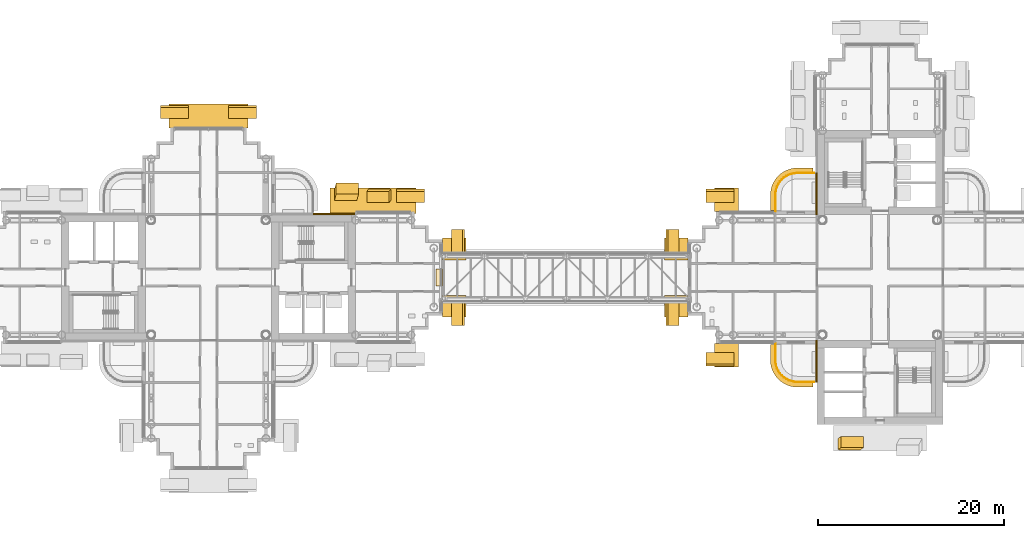
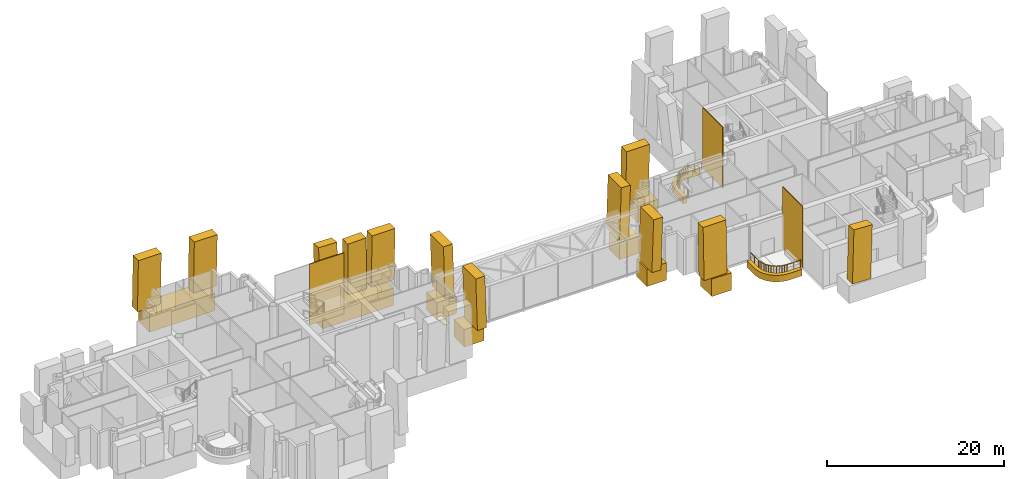
# One storey, part 29 of 34: 26 coverings, 2 railings.
"""IFC4 building model written with IfcOpenShell, lengths in metres."""

from ifc_helpers import new_model, si_unit, direction, frame, origin, origin_2d, place, context, subcontext, project, spatial, polyline, rectangle, circle, outline, extrude, material, layer, layer_set, material_profile, profile_set, type_object, element, save


model = new_model("IFC4")

# Units and contexts
model_context = context("Model", 3, precision=1e-05, world=origin(), true_north=direction((0.0, 1.0)))
body_context = subcontext(model_context, "Body", "Model", "MODEL_VIEW")
ifc_project = project(units=[si_unit("LENGTHUNIT", "METRE"), si_unit("AREAUNIT", "SQUARE_METRE"), si_unit("VOLUMEUNIT", "CUBIC_METRE"), si_unit("PLANEANGLEUNIT", "RADIAN"), si_unit("MASSUNIT", "GRAM", prefix="KILO")], contexts=[model_context])

# Site, building, storey
site_placement = place(None, origin())
site = spatial("IfcSite", under=ifc_project, at=site_placement, CompositionType="ELEMENT")
building_placement = place(site_placement, origin())
building = spatial("IfcBuilding", under=site, at=building_placement, Name="Ipe Terrace Towers", CompositionType="ELEMENT")
storey_placement = place(building_placement, frame((0.0, 0.0, 128.699951171875)))
storey = spatial("IfcBuildingStorey", under=building, at=storey_placement, Name="L35", CompositionType="ELEMENT", Elevation=128.699951171875)

# Railings
ifc_material_1 = material(Name="Stainless steel S316", Category="steel")
railing_type = type_object("IfcRailingType", Name="GUARD 1100", PredefinedType="BALUSTRADE", material=ifc_material_1)
railing_1_placement = place(storey_placement, frame((24.800048828125, -7.070068359375, -0.02001953125)))
element("IfcRailing", 1, at=railing_1_placement, inside=storey, type_object=railing_type, Name="guard", PredefinedType="BALUSTRADE", context=body_context, shape_type="SweptSolid", body=[
    extrude(circle(Radius=0.02392578125, at=origin_2d()), frame((0.0, 0.0, 1.076171875), z_axis=(0.0, -1.0, 0.0), x_axis=(1.0, 0.0, 0.0)), (0.0, 0.0, 1.0), 1.77783203125),
    extrude(circle(Radius=0.02392578125, at=origin_2d()), frame((0.0, -1.77783203125, 1.076171875), z_axis=(0.064635492184, -0.99790894031, 0.0), x_axis=(0.99790894031, 0.064635492184, 0.0)), (0.0, 0.0, 1.0), 0.309814453125),
    extrude(circle(Radius=0.02392578125, at=origin_2d()), frame((0.02001953125, -2.0869140625, 1.076171875), z_axis=(0.194892169718, -0.980824674538, 0.0), x_axis=(0.980824674538, 0.194892169718, 0.0)), (0.0, 0.0, 1.0), 0.306884765625),
    extrude(circle(Radius=0.02392578125, at=origin_2d()), frame((0.079833984375, -2.387939453125, 1.076171875), z_axis=(0.322415209212, -0.946598348228, 0.0), x_axis=(0.946598348228, 0.322415209212, 0.0)), (0.0, 0.0, 1.0), 0.307373046875),
    extrude(circle(Radius=0.02392578125, at=origin_2d()), frame((0.178955078125, -2.678955078125, 1.076171875), z_axis=(0.44212629539, -0.896952807524, 0.0), x_axis=(0.896952807524, 0.44212629539, 0.0)), (0.0, 0.0, 1.0), 0.3076171875),
    extrude(circle(Radius=0.02392578125, at=origin_2d()), frame((0.31494140625, -2.954833984375, 1.076171875), z_axis=(0.555066120228, -0.831806228742, 0.0), x_axis=(0.831806228742, 0.555066120228, 0.0)), (0.0, 0.0, 1.0), 0.307861328125),
    extrude(circle(Radius=0.02392578125, at=origin_2d()), frame((0.48583984375, -3.2109375, 1.076171875), z_axis=(0.658617227954, -0.752478137252, 0.0), x_axis=(0.752478137252, 0.658617227954, 0.0)), (0.0, 0.0, 1.0), 0.306884765625),
    extrude(circle(Radius=0.02392578125, at=origin_2d()), frame((0.68798828125, -3.44189453125, 1.076171875), z_axis=(0.752478137252, -0.658617227954, 0.0), x_axis=(0.658617227954, 0.752478137252, 0.0)), (0.0, 0.0, 1.0), 0.306884765625),
    extrude(circle(Radius=0.02392578125, at=origin_2d()), frame((0.9189453125, -3.64404296875, 1.076171875), z_axis=(0.831806228742, -0.555066120228, 0.0), x_axis=(0.555066120228, 0.831806228742, 0.0)), (0.0, 0.0, 1.0), 0.307861328125),
    extrude(circle(Radius=0.02392578125, at=origin_2d()), frame((1.175048828125, -3.81494140625, 1.076171875), z_axis=(0.896952807524, -0.44212629539, 0.0), x_axis=(0.44212629539, 0.896952807524, 0.0)), (0.0, 0.0, 1.0), 0.3076171875),
    extrude(circle(Radius=0.02392578125, at=origin_2d()), frame((1.450927734375, -3.950927734375, 1.076171875), z_axis=(0.946598348228, -0.322415209212, 0.0), x_axis=(0.322415209212, 0.946598348228, 0.0)), (0.0, 0.0, 1.0), 0.307373046875),
    extrude(circle(Radius=0.02392578125, at=origin_2d()), frame((1.741943359375, -4.050048828125, 1.076171875), z_axis=(0.980824674538, -0.194892169718, 0.0), x_axis=(0.194892169718, 0.980824674538, 0.0)), (0.0, 0.0, 1.0), 0.306884765625),
    extrude(circle(Radius=0.02392578125, at=origin_2d()), frame((2.04296875, -4.10986328125, 1.076171875), z_axis=(0.99790894031, -0.064635492184, 0.0), x_axis=(0.064635492184, 0.99790894031, 0.0)), (0.0, 0.0, 1.0), 0.309814453125),
    extrude(circle(Radius=0.02392578125, at=origin_2d()), frame((2.35205078125, -4.1298828125, 1.076171875), z_axis=(1.0, 0.0, 0.0), x_axis=(0.0, 1.0, 0.0)), (0.0, 0.0, 1.0), 1.77783203125),
    extrude(circle(Radius=0.02099609375, at=origin_2d()), origin(), (0.0, 0.0, 1.0), 1.052001953125),
    extrude(circle(Radius=0.02099609375, at=origin_2d()), frame((0.0, -0.888916015625, 0.0)), (0.0, 0.0, 1.0), 1.052001953125),
    extrude(circle(Radius=0.02099609375, at=origin_2d()), frame((0.0, -1.77783203125, 0.0)), (0.0, 0.0, 1.0), 1.052001953125),
    extrude(circle(Radius=0.02099609375, at=origin_2d()), frame((0.02001953125, -2.0869140625, 0.0)), (0.0, 0.0, 1.0), 1.052001953125),
    extrude(circle(Radius=0.02099609375, at=origin_2d()), frame((0.079833984375, -2.387939453125, 0.0)), (0.0, 0.0, 1.0), 1.052001953125),
    extrude(circle(Radius=0.02099609375, at=origin_2d()), frame((0.178955078125, -2.678955078125, 0.0)), (0.0, 0.0, 1.0), 1.052001953125),
    extrude(circle(Radius=0.02099609375, at=origin_2d()), frame((0.31494140625, -2.954833984375, 0.0)), (0.0, 0.0, 1.0), 1.052001953125),
    extrude(circle(Radius=0.02099609375, at=origin_2d()), frame((0.48583984375, -3.2109375, 0.0)), (0.0, 0.0, 1.0), 1.052001953125),
    extrude(circle(Radius=0.02099609375, at=origin_2d()), frame((0.68798828125, -3.44189453125, 0.0)), (0.0, 0.0, 1.0), 1.052001953125),
    extrude(circle(Radius=0.02099609375, at=origin_2d()), frame((0.9189453125, -3.64404296875, 0.0)), (0.0, 0.0, 1.0), 1.052001953125),
    extrude(circle(Radius=0.02099609375, at=origin_2d()), frame((1.175048828125, -3.81494140625, 0.0)), (0.0, 0.0, 1.0), 1.052001953125),
    extrude(circle(Radius=0.02099609375, at=origin_2d()), frame((1.450927734375, -3.950927734375, 0.0)), (0.0, 0.0, 1.0), 1.052001953125),
    extrude(circle(Radius=0.02099609375, at=origin_2d()), frame((1.741943359375, -4.050048828125, 0.0)), (0.0, 0.0, 1.0), 1.052001953125),
    extrude(circle(Radius=0.02099609375, at=origin_2d()), frame((2.04296875, -4.10986328125, 0.0)), (0.0, 0.0, 1.0), 1.052001953125),
    extrude(circle(Radius=0.02099609375, at=origin_2d()), frame((2.35205078125, -4.1298828125, 0.0)), (0.0, 0.0, 1.0), 1.052001953125),
    extrude(circle(Radius=0.02099609375, at=origin_2d()), frame((3.240966796875, -4.1298828125, 0.0)), (0.0, 0.0, 1.0), 1.052001953125),
    extrude(circle(Radius=0.02099609375, at=origin_2d()), frame((4.1298828125, -4.1298828125, 0.0)), (0.0, 0.0, 1.0), 1.052001953125),
])
railing_2_placement = place(storey_placement, frame((28.929931640625, 11.199951171875, -0.02001953125)))
element("IfcRailing", 2, at=railing_2_placement, inside=storey, type_object=railing_type, Name="guard", PredefinedType="BALUSTRADE", context=body_context, shape_type="SweptSolid", body=[
    extrude(circle(Radius=0.02392578125, at=origin_2d()), frame((0.0, 0.0, 1.076171875), z_axis=(-1.0, 0.0, 0.0), x_axis=(0.0, -1.0, 0.0)), (0.0, 0.0, 1.0), 1.77783203125),
    extrude(circle(Radius=0.02392578125, at=origin_2d()), frame((-1.77783203125, 0.0, 1.076171875), z_axis=(-0.99790894031, -0.064635492184, 0.0), x_axis=(0.064635492184, -0.99790894031, 0.0)), (0.0, 0.0, 1.0), 0.309814453125),
    extrude(circle(Radius=0.02392578125, at=origin_2d()), frame((-2.0869140625, -0.02001953125, 1.076171875), z_axis=(-0.980824674538, -0.194892169718, 0.0), x_axis=(0.194892169718, -0.980824674538, 0.0)), (0.0, 0.0, 1.0), 0.306884765625),
    extrude(circle(Radius=0.02392578125, at=origin_2d()), frame((-2.387939453125, -0.079833984375, 1.076171875), z_axis=(-0.946598348228, -0.322415209212, 0.0), x_axis=(0.322415209212, -0.946598348228, 0.0)), (0.0, 0.0, 1.0), 0.307373046875),
    extrude(circle(Radius=0.02392578125, at=origin_2d()), frame((-2.678955078125, -0.178955078125, 1.076171875), z_axis=(-0.896952807524, -0.44212629539, 0.0), x_axis=(0.44212629539, -0.896952807524, 0.0)), (0.0, 0.0, 1.0), 0.3076171875),
    extrude(circle(Radius=0.02392578125, at=origin_2d()), frame((-2.954833984375, -0.31494140625, 1.076171875), z_axis=(-0.831806228742, -0.555066120228, 0.0), x_axis=(0.555066120228, -0.831806228742, 0.0)), (0.0, 0.0, 1.0), 0.307861328125),
    extrude(circle(Radius=0.02392578125, at=origin_2d()), frame((-3.2109375, -0.48583984375, 1.076171875), z_axis=(-0.752478137252, -0.658617227954, 0.0), x_axis=(0.658617227954, -0.752478137252, 0.0)), (0.0, 0.0, 1.0), 0.306884765625),
    extrude(circle(Radius=0.02392578125, at=origin_2d()), frame((-3.44189453125, -0.68798828125, 1.076171875), z_axis=(-0.658617227954, -0.752478137252, 0.0), x_axis=(0.752478137252, -0.658617227954, 0.0)), (0.0, 0.0, 1.0), 0.306884765625),
    extrude(circle(Radius=0.02392578125, at=origin_2d()), frame((-3.64404296875, -0.9189453125, 1.076171875), z_axis=(-0.555066120228, -0.831806228742, 0.0), x_axis=(0.831806228742, -0.555066120228, 0.0)), (0.0, 0.0, 1.0), 0.307861328125),
    extrude(circle(Radius=0.02392578125, at=origin_2d()), frame((-3.81494140625, -1.175048828125, 1.076171875), z_axis=(-0.44212629539, -0.896952807524, 0.0), x_axis=(0.896952807524, -0.44212629539, 0.0)), (0.0, 0.0, 1.0), 0.3076171875),
    extrude(circle(Radius=0.02392578125, at=origin_2d()), frame((-3.950927734375, -1.450927734375, 1.076171875), z_axis=(-0.322415209212, -0.946598348228, 0.0), x_axis=(0.946598348228, -0.322415209212, 0.0)), (0.0, 0.0, 1.0), 0.307373046875),
    extrude(circle(Radius=0.02392578125, at=origin_2d()), frame((-4.050048828125, -1.741943359375, 1.076171875), z_axis=(-0.194892169718, -0.980824674538, 0.0), x_axis=(0.980824674538, -0.194892169718, 0.0)), (0.0, 0.0, 1.0), 0.306884765625),
    extrude(circle(Radius=0.02392578125, at=origin_2d()), frame((-4.10986328125, -2.04296875, 1.076171875), z_axis=(-0.064635492184, -0.99790894031, 0.0), x_axis=(0.99790894031, -0.064635492184, 0.0)), (0.0, 0.0, 1.0), 0.309814453125),
    extrude(circle(Radius=0.02392578125, at=origin_2d()), frame((-4.1298828125, -2.35205078125, 1.076171875), z_axis=(0.0, -1.0, 0.0), x_axis=(1.0, 0.0, 0.0)), (0.0, 0.0, 1.0), 1.77783203125),
    extrude(circle(Radius=0.02099609375, at=origin_2d()), origin(), (0.0, 0.0, 1.0), 1.052001953125),
    extrude(circle(Radius=0.02099609375, at=origin_2d()), frame((-0.888916015625, 0.0, 0.0)), (0.0, 0.0, 1.0), 1.052001953125),
    extrude(circle(Radius=0.02099609375, at=origin_2d()), frame((-1.77783203125, 0.0, 0.0)), (0.0, 0.0, 1.0), 1.052001953125),
    extrude(circle(Radius=0.02099609375, at=origin_2d()), frame((-2.0869140625, -0.02001953125, 0.0)), (0.0, 0.0, 1.0), 1.052001953125),
    extrude(circle(Radius=0.02099609375, at=origin_2d()), frame((-2.387939453125, -0.079833984375, 0.0)), (0.0, 0.0, 1.0), 1.052001953125),
    extrude(circle(Radius=0.02099609375, at=origin_2d()), frame((-2.678955078125, -0.178955078125, 0.0)), (0.0, 0.0, 1.0), 1.052001953125),
    extrude(circle(Radius=0.02099609375, at=origin_2d()), frame((-2.954833984375, -0.31494140625, 0.0)), (0.0, 0.0, 1.0), 1.052001953125),
    extrude(circle(Radius=0.02099609375, at=origin_2d()), frame((-3.2109375, -0.48583984375, 0.0)), (0.0, 0.0, 1.0), 1.052001953125),
    extrude(circle(Radius=0.02099609375, at=origin_2d()), frame((-3.44189453125, -0.68798828125, 0.0)), (0.0, 0.0, 1.0), 1.052001953125),
    extrude(circle(Radius=0.02099609375, at=origin_2d()), frame((-3.64404296875, -0.9189453125, 0.0)), (0.0, 0.0, 1.0), 1.052001953125),
    extrude(circle(Radius=0.02099609375, at=origin_2d()), frame((-3.81494140625, -1.175048828125, 0.0)), (0.0, 0.0, 1.0), 1.052001953125),
    extrude(circle(Radius=0.02099609375, at=origin_2d()), frame((-3.950927734375, -1.450927734375, 0.0)), (0.0, 0.0, 1.0), 1.052001953125),
    extrude(circle(Radius=0.02099609375, at=origin_2d()), frame((-4.050048828125, -1.741943359375, 0.0)), (0.0, 0.0, 1.0), 1.052001953125),
    extrude(circle(Radius=0.02099609375, at=origin_2d()), frame((-4.10986328125, -2.04296875, 0.0)), (0.0, 0.0, 1.0), 1.052001953125),
    extrude(circle(Radius=0.02099609375, at=origin_2d()), frame((-4.1298828125, -2.35205078125, 0.0)), (0.0, 0.0, 1.0), 1.052001953125),
    extrude(circle(Radius=0.02099609375, at=origin_2d()), frame((-4.1298828125, -3.240966796875, 0.0)), (0.0, 0.0, 1.0), 1.052001953125),
    extrude(circle(Radius=0.02099609375, at=origin_2d()), frame((-4.1298828125, -4.1298828125, 0.0)), (0.0, 0.0, 1.0), 1.052001953125),
])

# Coverings
ifc_material_2 = material(Name="Stainless steel S316 chequer plate", Category="steel")
ifc_layer_1 = layer(ifc_material_2, 0.011962890625)
ifc_layer_set_1 = layer_set([ifc_layer_1], Name="MOVEMENT JOINT COVER PLATE 12")
covering_type_1 = type_object("IfcCoveringType", Name="MOVEMENT JOINT COVER PLATE 12", PredefinedType="FLOORING", material=ifc_layer_set_1)
covering_1_placement = place(storey_placement, origin())
element("IfcCovering", 3, at=covering_1_placement, inside=storey, type_object=covering_type_1, Name="BR2-JC movement joint cover plate", PredefinedType="FLOORING", context=body_context, shape_type="SweptSolid", body=[
    extrude(outline(polyline([(-11.60009765625, -0.89990234375), (-10.89990234375, -0.89990234375), (-10.89990234375, 0.89990234375), (-11.60009765625, 0.89990234375), (-11.60009765625, -0.89990234375)])), origin(), (0.0, 0.0, 1.0), 0.011962890625),
])
ifc_material_3 = material(Name="Concrete C50/60 precast, buff finish", Category="concrete")
ifc_layer_2 = layer(ifc_material_3, 0.1201171875)
ifc_layer_set_2 = layer_set([ifc_layer_2], Name="STONE CORE CLADDING 120")
covering_type_2 = type_object("IfcCoveringType", Name="STONE CORE CLADDING 120", PredefinedType="CLADDING", material=ifc_layer_set_2)
covering_2_placement = place(storey_placement, frame((-22.4990234375, 6.81005859375, 0.0), z_axis=(0.0, 0.0, 1.0), x_axis=(-1.0, 0.0, 0.0)))
element("IfcCovering", 4, at=covering_2_placement, inside=storey, type_object=covering_type_2, Name="stone core cladding", PredefinedType="CLADDING", context=body_context, shape_type="SweptSolid", body=[
    extrude(rectangle(XDim=4.5009765625, YDim=0.1201171875, at=origin_2d()), origin(), (0.0, 0.0, 1.0), 8.39990234375),
])
for number, where, z_axis, x_axis, name in (
    (5, (29.18994140625, -9.0, 0.0), (0.0, 0.0, 1.0), (0.0, -1.0, 0.0), "stone core cladding"),
    (6, (29.18994140625, 9.0, 0.0), (0.0, 0.0, 1.0), (0.0, -1.0, 0.0), "stone core cladding"),
):
    element("IfcCovering", number, at=place(storey_placement, frame(where, z_axis=z_axis, x_axis=x_axis)), inside=storey, type_object=covering_type_2, Name=name, PredefinedType="CLADDING", context=body_context, shape_type="SweptSolid", body=[
        extrude(rectangle(XDim=4.5, YDim=0.1201171875, at=origin_2d()), origin(), (0.0, 0.0, 1.0), 8.39990234375),
    ])
ifc_material_4 = material(Name="Concrete C50/60 precast, buff finish", Category="concrete")
ifc_layer_3 = layer(ifc_material_4, 0.5)
ifc_layer_set_3 = layer_set([ifc_layer_3], Name="STONE EDGE BAND 500 x 900")
covering_type_3 = type_object("IfcCoveringType", Name="STONE EDGE BAND 500 x 900", PredefinedType="CLADDING", material=ifc_layer_set_3)
covering_3_placement = place(storey_placement, frame((0.0, 0.0, -0.719970703125)))
element("IfcCovering", 7, at=covering_3_placement, inside=storey, type_object=covering_type_3, Name="stone edge band", PredefinedType="CLADDING", context=body_context, shape_type="SweptSolid", body=[
    extrude(outline(polyline([(24.25, -8.85009765625), (24.2509765625, -8.883056640625), (24.27197265625, -9.196044921875), (24.280029296875, -9.260986328125), (24.341064453125, -9.569091796875), (24.35791015625, -9.632080078125), (24.458984375, -9.928955078125), (24.48388671875, -9.989990234375), (24.623046875, -10.27099609375), (24.656005859375, -10.327880859375), (24.830078125, -10.589111328125), (24.8701171875, -10.64111328125), (25.076904296875, -10.876953125), (25.123046875, -10.923095703125), (25.35888671875, -11.1298828125), (25.410888671875, -11.169921875), (25.672119140625, -11.343994140625), (25.72900390625, -11.376953125), (26.010009765625, -11.51611328125), (26.071044921875, -11.541015625), (26.367919921875, -11.64208984375), (26.430908203125, -11.658935546875), (26.739013671875, -11.719970703125), (26.803955078125, -11.72802734375), (27.116943359375, -11.7490234375), (27.14990234375, -11.75), (28.800048828125, -11.75), (28.800048828125, -11.25), (27.14990234375, -11.25), (26.8369140625, -11.22900390625), (26.529052734375, -11.16796875), (26.23193359375, -11.06689453125), (25.949951171875, -10.927978515625), (25.68896484375, -10.75390625), (25.452880859375, -10.547119140625), (25.24609375, -10.31103515625), (25.072021484375, -10.050048828125), (24.93310546875, -9.76806640625), (24.83203125, -9.470947265625), (24.77099609375, -9.1630859375), (24.75, -8.85009765625), (24.75, -7.199951171875), (24.25, -7.199951171875), (24.25, -8.85009765625)])), origin(), (0.0, 0.0, 1.0), 0.89990234375),
])
covering_4_placement = place(storey_placement, frame((0.0, 0.0, -0.719970703125)))
element("IfcCovering", 8, at=covering_4_placement, inside=storey, type_object=covering_type_3, Name="stone edge band", PredefinedType="CLADDING", context=body_context, shape_type="SweptSolid", body=[
    extrude(outline(polyline([(24.25, 8.85009765625), (24.25, 7.199951171875), (24.75, 7.199951171875), (24.75, 8.85009765625), (24.77099609375, 9.1630859375), (24.83203125, 9.470947265625), (24.93310546875, 9.76806640625), (25.072021484375, 10.050048828125), (25.24609375, 10.31103515625), (25.452880859375, 10.547119140625), (25.68896484375, 10.75390625), (25.949951171875, 10.927978515625), (26.23193359375, 11.06689453125), (26.529052734375, 11.16796875), (26.8369140625, 11.22900390625), (27.14990234375, 11.25), (28.800048828125, 11.25), (28.800048828125, 11.75), (27.14990234375, 11.75), (27.116943359375, 11.7490234375), (26.803955078125, 11.72802734375), (26.739013671875, 11.719970703125), (26.430908203125, 11.658935546875), (26.367919921875, 11.64208984375), (26.071044921875, 11.541015625), (26.010009765625, 11.51611328125), (25.72900390625, 11.376953125), (25.672119140625, 11.343994140625), (25.410888671875, 11.169921875), (25.35888671875, 11.1298828125), (25.123046875, 10.923095703125), (25.076904296875, 10.876953125), (24.8701171875, 10.64111328125), (24.830078125, 10.589111328125), (24.656005859375, 10.327880859375), (24.623046875, 10.27099609375), (24.48388671875, 9.989990234375), (24.458984375, 9.928955078125), (24.35791015625, 9.632080078125), (24.341064453125, 9.569091796875), (24.280029296875, 9.260986328125), (24.27197265625, 9.196044921875), (24.2509765625, 8.883056640625), (24.25, 8.85009765625)])), origin(), (0.0, 0.0, 1.0), 0.89990234375),
])
ifc_material_5 = material(Name="Concrete C50/60 precast, buff finish", Category="concrete")
ifc_material_profile_1 = material_profile(ifc_material_5, rectangle(XDim=2.39990234375, YDim=1.199951171875, at=origin_2d()), Name="STONE FIN 2400 x 1200")
ifc_profile_set_1 = profile_set([ifc_material_profile_1], Name="Concrete C50/60 precast, buff finish")
covering_type_4 = type_object("IfcCoveringType", Name="STONE FIN 2400 x 1200", PredefinedType="USERDEFINED", material=ifc_profile_set_1)
covering_5_placement = place(storey_placement, frame((-17.64990234375, 8.8701171875, 1.199951171875), z_axis=(-0.025274885471, -0.03083129461, 0.999204989698), x_axis=(-0.999680539055, 0.000779506464, -0.025262862175)))
element("IfcCovering", 9, at=covering_5_placement, inside=storey, type_object=covering_type_4, Name="stone fin", ObjectType="FIN", PredefinedType="USERDEFINED", context=body_context, shape_type="SweptSolid", body=[
    extrude(rectangle(XDim=2.39990234375, YDim=1.199951171875, at=origin_2d()), origin(), (0.0, 0.0, 1.0), 7.205810546875),
])
covering_6_placement = place(storey_placement, frame((-21.300048828125, 8.8701171875, 1.199951171875), z_axis=(0.025179171392, 0.092211120967, 0.995421075976), x_axis=(-0.999682954405, 0.002322535975, 0.02507182679)))
element("IfcCovering", 10, at=covering_6_placement, inside=storey, type_object=covering_type_4, Name="stone fin", ObjectType="FIN", PredefinedType="USERDEFINED", context=body_context, shape_type="SweptSolid", body=[
    extrude(rectangle(XDim=2.39990234375, YDim=1.199951171875, at=origin_2d()), origin(), (0.0, 0.0, 1.0), 7.2333984375),
])
covering_7_placement = place(storey_placement, frame((32.699951171875, -17.8701171875, 1.199951171875), z_axis=(0.045637965134, 0.030809012071, 0.998482839569), x_axis=(0.998958045234, -0.001407527207, -0.045616255094)))
element("IfcCovering", 11, at=covering_7_placement, inside=storey, type_object=covering_type_4, Name="stone fin", ObjectType="FIN", PredefinedType="USERDEFINED", context=body_context, shape_type="SweptSolid", body=[
    extrude(rectangle(XDim=2.39990234375, YDim=1.199951171875, at=origin_2d()), origin(), (0.0, 0.0, 1.0), 7.211181640625),
])
ifc_material_6 = material(Name="Concrete C50/60 precast, buff finish", Category="concrete")
ifc_material_profile_2 = material_profile(ifc_material_6, rectangle(XDim=3.0, YDim=1.199951171875, at=origin_2d()), Name="STONE FIN CORNER 3000 x 1200")
ifc_profile_set_2 = profile_set([ifc_material_profile_2], Name="Concrete C50/60 precast, buff finish")
covering_type_5 = type_object("IfcCoveringType", Name="STONE FIN CORNER 3000 x 1200", PredefinedType="USERDEFINED", material=ifc_profile_set_2)
for number, where, z_axis, x_axis, name in (
    (12, (-9.1298828125, -3.64990234375, 1.199951171875), (-0.030841147152, 0.0, 0.999524298675), (0.0, 1.0, 0.0), "stone fin"),
    (13, (-9.1298828125, 3.64990234375, 1.199951171875), (-0.030841147152, 0.0, 0.999524298675), (0.0, 1.0, 0.0), "stone fin"),
    (14, (-14.35009765625, 8.8701171875, 1.199951171875), (0.0, -0.030841147152, 0.999524298675), (-1.0, 0.0, 0.0), "stone fin"),
    (15, (-32.35009765625, 17.8701171875, 1.199951171875), (0.0, -0.030841147152, 0.999524298675), (-1.0, 0.0, 0.0), "stone fin"),
    (16, (-39.64990234375, 17.8701171875, 1.199951171875), (0.0, -0.030841147152, 0.999524298675), (-1.0, 0.0, 0.0), "stone fin"),
    (17, (13.6298828125, -3.64990234375, 1.199951171875), (0.030841147152, 0.0, 0.999524298675), (0.0, -1.0, 0.0), "stone fin"),
    (18, (13.6298828125, 3.64990234375, 1.199951171875), (0.030841147152, 0.0, 0.999524298675), (0.0, -1.0, 0.0), "stone fin"),
    (19, (18.85009765625, -8.8701171875, 1.199951171875), (0.0, 0.030841147152, 0.999524298675), (1.0, 0.0, 0.0), "stone fin"),
    (20, (18.85009765625, 8.8701171875, 1.199951171875), (0.0, -0.030841147152, 0.999524298675), (-1.0, 0.0, 0.0), "stone fin"),
):
    element("IfcCovering", number, at=place(storey_placement, frame(where, z_axis=z_axis, x_axis=x_axis)), inside=storey, type_object=covering_type_5, Name=name, ObjectType="FIN", PredefinedType="USERDEFINED", context=body_context, shape_type="SweptSolid", body=[
        extrude(rectangle(XDim=3.0, YDim=1.199951171875, at=origin_2d()), origin(), (0.0, 0.0, 1.0), 7.20361328125),
    ])
ifc_material_7 = material(Name="Concrete C50/60 precast, buff finish", Category="concrete")
ifc_material_profile_3 = material_profile(ifc_material_7, rectangle(XDim=2.56005859375, YDim=2.39990234375, at=origin_2d()), Name="STONE FIN SPANDREL 2560 x 2400")
ifc_profile_set_3 = profile_set([ifc_material_profile_3], Name="Concrete C50/60 precast, buff finish")
covering_type_6 = type_object("IfcCoveringType", Name="STONE FIN SPANDREL 2560 x 2400", PredefinedType="CLADDING", material=ifc_profile_set_3)
for number, where, z_axis, x_axis, name in (
    (21, (-9.659912109375, -4.25, 0.0), (0.0, 1.0, 0.0), (1.0, 0.0, 0.0), "stone fin spandrel"),
    (22, (-9.659912109375, 1.89990234375, 0.0), (0.0, 1.0, 0.0), (1.0, 0.0, 0.0), "stone fin spandrel"),
):
    element("IfcCovering", number, at=place(storey_placement, frame(where, z_axis=z_axis, x_axis=x_axis)), inside=storey, type_object=covering_type_6, Name=name, PredefinedType="CLADDING", context=body_context, shape_type="SweptSolid", body=[
        extrude(rectangle(XDim=2.56005859375, YDim=2.39990234375, at=origin_2d()), origin(), (0.0, 0.0, 1.0), 2.35009765625),
    ])
covering_8_placement = place(storey_placement, frame((-31.75, 17.340087890625, 0.0), z_axis=(-1.0, 0.0, 0.0), x_axis=(0.0, 1.0, 0.0)))
element("IfcCovering", 23, at=covering_8_placement, inside=storey, type_object=covering_type_6, Name="stone fin spandrel", PredefinedType="CLADDING", context=body_context, shape_type="SweptSolid", body=[
    extrude(rectangle(XDim=2.56005859375, YDim=2.39990234375, at=origin_2d()), origin(), (0.0, 0.0, 1.0), 8.5),
])
covering_9_placement = place(storey_placement, frame((20.85009765625, 8.340087890625, 0.0), z_axis=(-1.0, 0.0, 0.0), x_axis=(0.0, 1.0, 0.0)))
element("IfcCovering", 24, at=covering_9_placement, inside=storey, type_object=covering_type_6, Name="stone fin spandrel", PredefinedType="CLADDING", context=body_context, shape_type="SweptSolid", body=[
    extrude(rectangle(XDim=2.56005859375, YDim=2.39990234375, at=origin_2d()), origin(), (0.0, 0.0, 1.0), 2.60009765625),
])
for number, where, z_axis, x_axis, name in (
    (25, (14.159912109375, 4.25, 0.0), (0.0, -1.0, 0.0), (-1.0, 0.0, 0.0), "stone fin spandrel"),
    (26, (14.159912109375, -1.89990234375, 0.0), (0.0, -1.0, 0.0), (-1.0, 0.0, 0.0), "stone fin spandrel"),
):
    element("IfcCovering", number, at=place(storey_placement, frame(where, z_axis=z_axis, x_axis=x_axis)), inside=storey, type_object=covering_type_6, Name=name, PredefinedType="CLADDING", context=body_context, shape_type="SweptSolid", body=[
        extrude(rectangle(XDim=2.56005859375, YDim=2.39990234375, at=origin_2d()), origin(), (0.0, 0.0, 1.0), 2.35009765625),
    ])
covering_10_placement = place(storey_placement, frame((18.25, -8.340087890625, 0.0), z_axis=(1.0, 0.0, 0.0), x_axis=(0.0, -1.0, 0.0)))
element("IfcCovering", 27, at=covering_10_placement, inside=storey, type_object=covering_type_6, Name="stone fin spandrel", PredefinedType="CLADDING", context=body_context, shape_type="SweptSolid", body=[
    extrude(rectangle(XDim=2.56005859375, YDim=2.39990234375, at=origin_2d()), origin(), (0.0, 0.0, 1.0), 2.60009765625),
])
ifc_material_8 = material(Name="Concrete C50/60 precast, buff finish", Category="concrete")
ifc_material_profile_4 = material_profile(ifc_material_8, rectangle(XDim=2.760009765625, YDim=2.39990234375, at=origin_2d()), Name="STONE FIN SPANDREL 2760 x 2400")
ifc_profile_set_4 = profile_set([ifc_material_profile_4], Name="Concrete C50/60 precast, buff finish")
covering_type_7 = type_object("IfcCoveringType", Name="STONE FIN SPANDREL 2760 x 2400", PredefinedType="CLADDING", material=ifc_profile_set_4)
covering_11_placement = place(storey_placement, frame((-13.75, 8.239990234375, 0.0), z_axis=(-1.0, 0.0, 0.0), x_axis=(0.0, 1.0, 0.0)))
element("IfcCovering", 28, at=covering_11_placement, inside=storey, type_object=covering_type_7, Name="stone fin spandrel", PredefinedType="CLADDING", context=body_context, shape_type="SweptSolid", body=[
    extrude(rectangle(XDim=2.760009765625, YDim=2.39990234375, at=origin_2d()), origin(), (0.0, 0.0, 1.0), 9.25),
])

save(model, "model.ifc")
